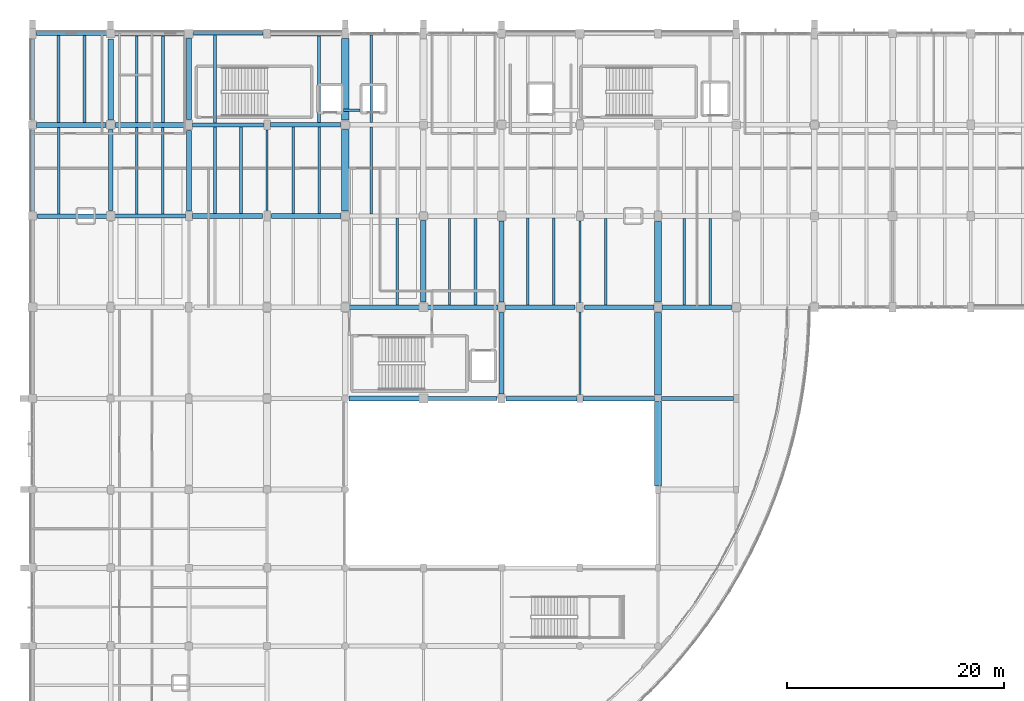
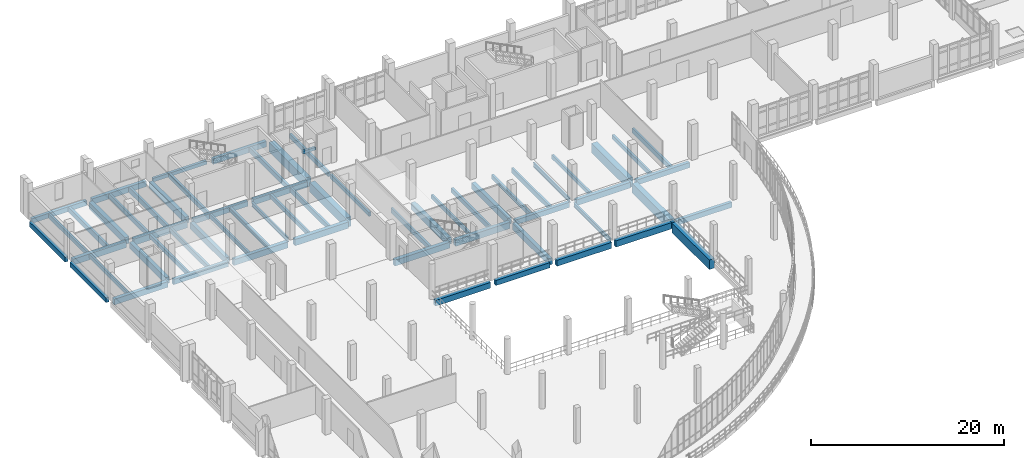
# One storey, part 62 of 124: 63 beams.
"""IFC4 building model written with IfcOpenShell, lengths in metres."""

from ifc_helpers import new_model, si_unit, direction, frame, origin, origin_2d, place, context, subcontext, project, spatial, rectangle, i_section, extrude, material, material_profile, profile_set, type_object, element, save


model = new_model("IFC4")

# Units and contexts
model_context = context("Model", 3, precision=1e-05, world=origin(), true_north=direction((0.0, 1.0)))
body_context = subcontext(model_context, "Body", "Model", "MODEL_VIEW")
ifc_project = project(units=[si_unit("LENGTHUNIT", "METRE"), si_unit("AREAUNIT", "SQUARE_METRE"), si_unit("VOLUMEUNIT", "CUBIC_METRE"), si_unit("PLANEANGLEUNIT", "RADIAN"), si_unit("MASSUNIT", "GRAM", prefix="KILO")], contexts=[model_context])

# Site, building, storey
site_placement = place(None, origin())
site = spatial("IfcSite", under=ifc_project, at=site_placement, CompositionType="ELEMENT")
building_placement = place(site_placement, origin())
building = spatial("IfcBuilding", under=site, at=building_placement, Name="Kalluvel Institute of Natural Sciences", CompositionType="ELEMENT")
storey_placement = place(building_placement, frame((0.0, 0.0, 9.89990234375)))
storey = spatial("IfcBuildingStorey", under=building, at=storey_placement, Name="L02", CompositionType="ELEMENT", Elevation=9.89990234375)

# Beams
ifc_material_1 = material(Name="Steel E350 Grade 350", Category="steel")
ifc_material_profile_1 = material_profile(ifc_material_1, i_section(OverallWidth=0.18994140625, OverallDepth=0.550048828125, WebThickness=0.01123046875, FlangeThickness=0.019287109375, FilletRadius=0.01806640625, at=origin_2d()), Name="ISMB 550")
ifc_profile_set_1 = profile_set([ifc_material_profile_1], Name="Steel E350 Grade 350")
beam_type_1 = type_object("IfcBeamType", Name="BM-ISMB550", PredefinedType="BEAM", material=ifc_profile_set_1)
beam_1_placement = place(storey_placement, frame((35.60009765625, 111.625, -0.594970703125), z_axis=(0.0, 1.0, 0.0), x_axis=(-1.0, 0.0, 0.0)))
element("IfcBeam", 1, at=beam_1_placement, inside=storey, type_object=beam_type_1, Name="L02 girder GIR-L02-NS-X356-Y1112", PredefinedType="BEAM", context=body_context, shape_type="SweptSolid", body=[
    extrude(i_section(OverallWidth=0.18994140625, OverallDepth=0.550048828125, WebThickness=0.01123046875, FlangeThickness=0.019287109375, FilletRadius=0.01806640625, at=origin_2d()), origin(), (0.0, 0.0, 1.0), 7.5),
])
beam_2_placement = place(storey_placement, frame((64.39990234375, 94.77490234375, -0.594970703125), z_axis=(0.0, 1.0, 0.0), x_axis=(-1.0, 0.0, 0.0)))
element("IfcBeam", 2, at=beam_2_placement, inside=storey, type_object=beam_type_1, Name="L02 girder GIR-L02-NS-X644-Y944", PredefinedType="BEAM", context=body_context, shape_type="SweptSolid", body=[
    extrude(i_section(OverallWidth=0.18994140625, OverallDepth=0.550048828125, WebThickness=0.01123046875, FlangeThickness=0.019287109375, FilletRadius=0.01806640625, at=origin_2d()), origin(), (0.0, 0.0, 1.0), 7.60009765625),
])
beam_3_placement = place(storey_placement, frame((64.39990234375, 103.22509765625, -0.594970703125), z_axis=(0.0, 1.0, 0.0), x_axis=(-1.0, 0.0, 0.0)))
element("IfcBeam", 3, at=beam_3_placement, inside=storey, type_object=beam_type_1, Name="L02 girder GIR-L02-NS-X644-Y1028", PredefinedType="BEAM", context=body_context, shape_type="SweptSolid", body=[
    extrude(i_section(OverallWidth=0.18994140625, OverallDepth=0.550048828125, WebThickness=0.01123046875, FlangeThickness=0.019287109375, FilletRadius=0.01806640625, at=origin_2d()), origin(), (0.0, 0.0, 1.0), 7.52490234375),
])
ifc_material_2 = material(Name="Concrete M40", Category="concrete")
ifc_material_profile_2 = material_profile(ifc_material_2, rectangle(XDim=0.3798828125, YDim=0.639892578125, at=origin_2d()), Name="RCB 380x640")
ifc_profile_set_2 = profile_set([ifc_material_profile_2], Name="Concrete M40")
beam_type_2 = type_object("IfcBeamType", Name="BM-RC380x640", PredefinedType="BEAM", material=ifc_profile_set_2)
beam_4_placement = place(storey_placement, frame((71.89990234375, 94.39990234375, -0.639892578125), z_axis=(1.0, 0.0, 0.0), x_axis=(0.0, 1.0, 0.0)))
element("IfcBeam", 4, at=beam_4_placement, inside=storey, type_object=beam_type_2, Name="L02 girder GIR-L02-EW-X716-Y944", PredefinedType="BEAM", context=body_context, shape_type="SweptSolid", body=[
    extrude(rectangle(XDim=0.3798828125, YDim=0.639892578125, at=origin_2d()), origin(), (0.0, 0.0, 1.0), 6.650146484375),
])
beam_5_placement = place(storey_placement, frame((57.52490234375, 102.800048828125, -0.639892578125), z_axis=(1.0, 0.0, 0.0), x_axis=(0.0, 1.0, 0.0)))
element("IfcBeam", 5, at=beam_5_placement, inside=storey, type_object=beam_type_2, Name="L02 girder GIR-L02-EW-X572-Y1028", PredefinedType="BEAM", context=body_context, shape_type="SweptSolid", body=[
    extrude(rectangle(XDim=0.3798828125, YDim=0.639892578125, at=origin_2d()), origin(), (0.0, 0.0, 1.0), 6.4501953125),
])
beam_6_placement = place(storey_placement, frame((28.75, 119.60009765625, -0.639892578125), z_axis=(1.0, 0.0, 0.0), x_axis=(0.0, 1.0, 0.0)))
element("IfcBeam", 6, at=beam_6_placement, inside=storey, type_object=beam_type_2, Name="L02 girder GIR-L02-EW-X284-Y1196", PredefinedType="BEAM", context=body_context, shape_type="SweptSolid", body=[
    extrude(rectangle(XDim=0.3798828125, YDim=0.639892578125, at=origin_2d()), origin(), (0.0, 0.0, 1.0), 6.52490234375),
])
ifc_material_profile_3 = material_profile(ifc_material_2, rectangle(XDim=0.39990234375, YDim=0.64990234375, at=origin_2d()), Name="RCB 400x650")
ifc_profile_set_3 = profile_set([ifc_material_profile_3], Name="Concrete M40")
beam_type_3 = type_object("IfcBeamType", Name="BM-RC400x650", PredefinedType="BEAM", material=ifc_profile_set_3)
beam_7_placement = place(storey_placement, frame((50.324951171875, 94.39990234375, -0.64501953125), z_axis=(1.0, 0.0, 0.0), x_axis=(0.0, 1.0, 0.0)))
element("IfcBeam", 7, at=beam_7_placement, inside=storey, type_object=beam_type_3, Name="L02 girder GIR-L02-EW-X500-Y944", PredefinedType="BEAM", context=body_context, shape_type="SweptSolid", body=[
    extrude(rectangle(XDim=0.39990234375, YDim=0.64990234375, at=origin_2d()), origin(), (0.0, 0.0, 1.0), 6.449951171875),
])
beam_8_placement = place(storey_placement, frame((71.97509765625, 102.800048828125, -0.64501953125), z_axis=(1.0, 0.0, 0.0), x_axis=(0.0, 1.0, 0.0)))
element("IfcBeam", 8, at=beam_8_placement, inside=storey, type_object=beam_type_3, Name="L02 girder GIR-L02-EW-X716-Y1028", PredefinedType="BEAM", context=body_context, shape_type="SweptSolid", body=[
    extrude(rectangle(XDim=0.39990234375, YDim=0.64990234375, at=origin_2d()), origin(), (0.0, 0.0, 1.0), 6.375),
])
beam_9_placement = place(storey_placement, frame((21.550048828125, 111.199951171875, -0.64501953125), z_axis=(1.0, 0.0, 0.0), x_axis=(0.0, 1.0, 0.0)))
element("IfcBeam", 9, at=beam_9_placement, inside=storey, type_object=beam_type_3, Name="L02 girder GIR-L02-EW-X212-Y1112", PredefinedType="BEAM", context=body_context, shape_type="SweptSolid", body=[
    extrude(rectangle(XDim=0.39990234375, YDim=0.64990234375, at=origin_2d()), origin(), (0.0, 0.0, 1.0), 6.52490234375),
])
ifc_material_profile_4 = material_profile(ifc_material_2, rectangle(XDim=0.419921875, YDim=0.719970703125, at=origin_2d()), Name="RCB 420x720")
ifc_profile_set_4 = profile_set([ifc_material_profile_4], Name="Concrete M40")
beam_type_4 = type_object("IfcBeamType", Name="BM-RC420x720", PredefinedType="BEAM", material=ifc_profile_set_4)
beam_10_placement = place(storey_placement, frame((43.125, 94.39990234375, -0.679931640625), z_axis=(1.0, 0.0, 0.0), x_axis=(0.0, 1.0, 0.0)))
element("IfcBeam", 10, at=beam_10_placement, inside=storey, type_object=beam_type_4, Name="L02 girder GIR-L02-EW-X428-Y944", PredefinedType="BEAM", context=body_context, shape_type="SweptSolid", body=[
    extrude(rectangle(XDim=0.419921875, YDim=0.719970703125, at=origin_2d()), origin(), (0.0, 0.0, 1.0), 6.550048828125),
])
for number, where, z_axis, x_axis, name in (
    (11, (64.824951171875, 102.800048828125, -0.679931640625), (1.0, 0.0, 0.0), (0.0, 1.0, 0.0), "L02 girder GIR-L02-EW-X644-Y1028"),
    (12, (14.449951171875, 111.199951171875, -0.679931640625), (1.0, 0.0, 0.0), (0.0, 1.0, 0.0), "L02 girder GIR-L02-EW-X140-Y1112"),
):
    element("IfcBeam", number, at=place(storey_placement, frame(where, z_axis=z_axis, x_axis=x_axis)), inside=storey, type_object=beam_type_4, Name=name, PredefinedType="BEAM", context=body_context, shape_type="SweptSolid", body=[
        extrude(rectangle(XDim=0.419921875, YDim=0.719970703125, at=origin_2d()), origin(), (0.0, 0.0, 1.0), 6.400146484375),
    ])
beam_11_placement = place(storey_placement, frame((35.925048828125, 119.60009765625, -0.679931640625), z_axis=(1.0, 0.0, 0.0), x_axis=(0.0, 1.0, 0.0)))
element("IfcBeam", 13, at=beam_11_placement, inside=storey, type_object=beam_type_4, Name="L02 girder GIR-L02-EW-X356-Y1196", PredefinedType="BEAM", context=body_context, shape_type="SweptSolid", body=[
    extrude(rectangle(XDim=0.419921875, YDim=0.719970703125, at=origin_2d()), origin(), (0.0, 0.0, 1.0), 6.449951171875),
])
ifc_material_profile_5 = material_profile(ifc_material_2, rectangle(XDim=0.449951171875, YDim=0.75, at=origin_2d()), Name="RCB 450x750")
ifc_profile_set_5 = profile_set([ifc_material_profile_5], Name="Concrete M40")
beam_type_5 = type_object("IfcBeamType", Name="BM-RC450x750", PredefinedType="BEAM", material=ifc_profile_set_5)
beam_12_placement = place(storey_placement, frame((57.625, 94.39990234375, -0.69482421875), z_axis=(1.0, 0.0, 0.0), x_axis=(0.0, 1.0, 0.0)))
element("IfcBeam", 14, at=beam_12_placement, inside=storey, type_object=beam_type_5, Name="L02 girder GIR-L02-EW-X572-Y944", PredefinedType="BEAM", context=body_context, shape_type="SweptSolid", body=[
    extrude(rectangle(XDim=0.449951171875, YDim=0.75, at=origin_2d()), origin(), (0.0, 0.0, 1.0), 6.5),
])
beam_13_placement = place(storey_placement, frame((43.125, 102.800048828125, -0.69482421875), z_axis=(1.0, 0.0, 0.0), x_axis=(0.0, 1.0, 0.0)))
element("IfcBeam", 15, at=beam_13_placement, inside=storey, type_object=beam_type_5, Name="L02 girder GIR-L02-EW-X428-Y1028", PredefinedType="BEAM", context=body_context, shape_type="SweptSolid", body=[
    extrude(rectangle(XDim=0.449951171875, YDim=0.75, at=origin_2d()), origin(), (0.0, 0.0, 1.0), 6.52490234375),
])
beam_14_placement = place(storey_placement, frame((28.72509765625, 111.199951171875, -0.69482421875), z_axis=(1.0, 0.0, 0.0), x_axis=(0.0, 1.0, 0.0)))
element("IfcBeam", 16, at=beam_14_placement, inside=storey, type_object=beam_type_5, Name="L02 girder GIR-L02-EW-X284-Y1112", PredefinedType="BEAM", context=body_context, shape_type="SweptSolid", body=[
    extrude(rectangle(XDim=0.449951171875, YDim=0.75, at=origin_2d()), origin(), (0.0, 0.0, 1.0), 6.449951171875),
])
beam_15_placement = place(storey_placement, frame((14.375, 119.60009765625, -0.69482421875), z_axis=(1.0, 0.0, 0.0), x_axis=(0.0, 1.0, 0.0)))
element("IfcBeam", 17, at=beam_15_placement, inside=storey, type_object=beam_type_5, Name="L02 girder GIR-L02-EW-X140-Y1196", PredefinedType="BEAM", context=body_context, shape_type="SweptSolid", body=[
    extrude(rectangle(XDim=0.449951171875, YDim=0.75, at=origin_2d()), origin(), (0.0, 0.0, 1.0), 6.375),
])
ifc_material_profile_6 = material_profile(ifc_material_2, rectangle(XDim=0.449951171875, YDim=0.800048828125, at=origin_2d()), Name="RCB 450x800")
ifc_profile_set_6 = profile_set([ifc_material_profile_6], Name="Concrete M40")
beam_type_6 = type_object("IfcBeamType", Name="BM-RC450x800", PredefinedType="BEAM", material=ifc_profile_set_6)
beam_16_placement = place(storey_placement, frame((64.675048828125, 94.39990234375, -0.719970703125), z_axis=(1.0, 0.0, 0.0), x_axis=(0.0, 1.0, 0.0)))
element("IfcBeam", 18, at=beam_16_placement, inside=storey, type_object=beam_type_6, Name="L02 girder GIR-L02-EW-X644-Y944", PredefinedType="BEAM", context=body_context, shape_type="SweptSolid", body=[
    extrude(rectangle(XDim=0.449951171875, YDim=0.800048828125, at=origin_2d()), origin(), (0.0, 0.0, 1.0), 6.625),
])
beam_17_placement = place(storey_placement, frame((50.35009765625, 102.800048828125, -0.719970703125), z_axis=(1.0, 0.0, 0.0), x_axis=(0.0, 1.0, 0.0)))
element("IfcBeam", 19, at=beam_17_placement, inside=storey, type_object=beam_type_6, Name="L02 girder GIR-L02-EW-X500-Y1028", PredefinedType="BEAM", context=body_context, shape_type="SweptSolid", body=[
    extrude(rectangle(XDim=0.449951171875, YDim=0.800048828125, at=origin_2d()), origin(), (0.0, 0.0, 1.0), 6.52490234375),
])
for number, where, z_axis, x_axis, name in (
    (20, (36.02490234375, 111.199951171875, -0.719970703125), (1.0, 0.0, 0.0), (0.0, 1.0, 0.0), "L02 girder GIR-L02-EW-X356-Y1112"),
    (21, (21.64990234375, 119.60009765625, -0.719970703125), (1.0, 0.0, 0.0), (0.0, 1.0, 0.0), "L02 girder GIR-L02-EW-X212-Y1196"),
):
    element("IfcBeam", number, at=place(storey_placement, frame(where, z_axis=z_axis, x_axis=x_axis)), inside=storey, type_object=beam_type_6, Name=name, PredefinedType="BEAM", context=body_context, shape_type="SweptSolid", body=[
        extrude(rectangle(XDim=0.449951171875, YDim=0.800048828125, at=origin_2d()), origin(), (0.0, 0.0, 1.0), 6.400146484375),
    ])
beam_18_placement = place(storey_placement, frame((21.199951171875, 111.699951171875, -0.719970703125), z_axis=(0.0, 1.0, 0.0), x_axis=(-1.0, 0.0, 0.0)))
element("IfcBeam", 22, at=beam_18_placement, inside=storey, type_object=beam_type_6, Name="L02 girder GIR-L02-NS-X212-Y1112", PredefinedType="BEAM", context=body_context, shape_type="SweptSolid", body=[
    extrude(rectangle(XDim=0.449951171875, YDim=0.800048828125, at=origin_2d()), origin(), (0.0, 0.0, 1.0), 7.449951171875),
])
beam_19_placement = place(storey_placement, frame((28.39990234375, 111.675048828125, -0.719970703125), z_axis=(0.0, 1.0, 0.0), x_axis=(-1.0, 0.0, 0.0)))
element("IfcBeam", 23, at=beam_19_placement, inside=storey, type_object=beam_type_6, Name="L02 girder GIR-L02-NS-X284-Y1112", PredefinedType="BEAM", context=body_context, shape_type="SweptSolid", body=[
    extrude(rectangle(XDim=0.449951171875, YDim=0.800048828125, at=origin_2d()), origin(), (0.0, 0.0, 1.0), 7.425048828125),
])
beam_20_placement = place(storey_placement, frame((28.39990234375, 120.10009765625, -0.719970703125), z_axis=(0.0, 1.0, 0.0), x_axis=(-1.0, 0.0, 0.0)))
element("IfcBeam", 24, at=beam_20_placement, inside=storey, type_object=beam_type_6, Name="L02 girder GIR-L02-NS-X284-Y1196", PredefinedType="BEAM", context=body_context, shape_type="SweptSolid", body=[
    extrude(rectangle(XDim=0.449951171875, YDim=0.800048828125, at=origin_2d()), origin(), (0.0, 0.0, 1.0), 7.474853515625),
])
beam_21_placement = place(storey_placement, frame((57.199951171875, 94.824951171875, -0.719970703125), z_axis=(0.0, 1.0, 0.0), x_axis=(-1.0, 0.0, 0.0)))
element("IfcBeam", 25, at=beam_21_placement, inside=storey, type_object=beam_type_6, Name="L02 girder GIR-L02-NS-X572-Y944", PredefinedType="BEAM", context=body_context, shape_type="SweptSolid", body=[
    extrude(rectangle(XDim=0.449951171875, YDim=0.800048828125, at=origin_2d()), origin(), (0.0, 0.0, 1.0), 7.5),
])
beam_22_placement = place(storey_placement, frame((57.199951171875, 103.27490234375, -0.719970703125), z_axis=(0.0, 1.0, 0.0), x_axis=(-1.0, 0.0, 0.0)))
element("IfcBeam", 26, at=beam_22_placement, inside=storey, type_object=beam_type_6, Name="L02 girder GIR-L02-NS-X572-Y1028", PredefinedType="BEAM", context=body_context, shape_type="SweptSolid", body=[
    extrude(rectangle(XDim=0.449951171875, YDim=0.800048828125, at=origin_2d()), origin(), (0.0, 0.0, 1.0), 7.4501953125),
])
ifc_material_3 = material(Name="Concrete M50", Category="concrete")
ifc_material_profile_7 = material_profile(ifc_material_3, rectangle(XDim=0.5, YDim=0.85009765625, at=origin_2d()), Name="RCB 500x850")
ifc_profile_set_7 = profile_set([ifc_material_profile_7], Name="Concrete M50")
beam_type_7 = type_object("IfcBeamType", Name="BM-RC500x850", PredefinedType="BEAM", material=ifc_profile_set_7)
for number, where, z_axis, x_axis, name in (
    (27, (21.199951171875, 120.050048828125, -0.744873046875), (0.0, 1.0, 0.0), (-1.0, 0.0, 0.0), "L02 girder GIR-L02-NS-X212-Y1196"),
    (28, (50.0, 103.300048828125, -0.744873046875), (0.0, 1.0, 0.0), (-1.0, 0.0, 0.0), "L02 girder GIR-L02-NS-X500-Y1028"),
):
    element("IfcBeam", number, at=place(storey_placement, frame(where, z_axis=z_axis, x_axis=x_axis)), inside=storey, type_object=beam_type_7, Name=name, PredefinedType="BEAM", context=body_context, shape_type="SweptSolid", body=[
        extrude(rectangle(XDim=0.5, YDim=0.85009765625, at=origin_2d()), origin(), (0.0, 0.0, 1.0), 7.474853515625),
    ])
ifc_material_profile_8 = material_profile(ifc_material_3, rectangle(XDim=0.64990234375, YDim=1.199951171875, at=origin_2d()), Name="RCB 650x1200")
ifc_profile_set_8 = profile_set([ifc_material_profile_8], Name="Concrete M50")
beam_type_8 = type_object("IfcBeamType", Name="BM-RC650x1200", PredefinedType="BEAM", material=ifc_profile_set_8)
beam_23_placement = place(storey_placement, frame((42.800048828125, 111.675048828125, -0.919921875), z_axis=(0.0, 1.0, 0.0), x_axis=(-1.0, 0.0, 0.0)))
element("IfcBeam", 29, at=beam_23_placement, inside=storey, type_object=beam_type_8, Name="L02 girder GIR-L02-NS-X428-Y1112", PredefinedType="BEAM", context=body_context, shape_type="SweptSolid", body=[
    extrude(rectangle(XDim=0.64990234375, YDim=1.199951171875, at=origin_2d()), origin(), (0.0, 0.0, 1.0), 7.5),
])
beam_24_placement = place(storey_placement, frame((42.800048828125, 120.02490234375, -0.919921875), z_axis=(0.0, 1.0, 0.0), x_axis=(-1.0, 0.0, 0.0)))
element("IfcBeam", 30, at=beam_24_placement, inside=storey, type_object=beam_type_8, Name="L02 girder GIR-L02-NS-X428-Y1196", PredefinedType="BEAM", context=body_context, shape_type="SweptSolid", body=[
    extrude(rectangle(XDim=0.64990234375, YDim=1.199951171875, at=origin_2d()), origin(), (0.0, 0.0, 1.0), 7.525146484375),
])
beam_25_placement = place(storey_placement, frame((71.60009765625, 86.35009765625, -0.919921875), z_axis=(0.0, 1.0, 0.0), x_axis=(-1.0, 0.0, 0.0)))
element("IfcBeam", 31, at=beam_25_placement, inside=storey, type_object=beam_type_8, Name="L02 girder GIR-L02-NS-X716-Y860", PredefinedType="BEAM", context=body_context, shape_type="SweptSolid", body=[
    extrude(rectangle(XDim=0.64990234375, YDim=1.199951171875, at=origin_2d()), origin(), (0.0, 0.0, 1.0), 7.75),
])
beam_26_placement = place(storey_placement, frame((71.60009765625, 94.699951171875, -0.919921875), z_axis=(0.0, 1.0, 0.0), x_axis=(-1.0, 0.0, 0.0)))
element("IfcBeam", 32, at=beam_26_placement, inside=storey, type_object=beam_type_8, Name="L02 girder GIR-L02-NS-X716-Y944", PredefinedType="BEAM", context=body_context, shape_type="SweptSolid", body=[
    extrude(rectangle(XDim=0.64990234375, YDim=1.199951171875, at=origin_2d()), origin(), (0.0, 0.0, 1.0), 7.625),
])
beam_27_placement = place(storey_placement, frame((71.60009765625, 103.27490234375, -0.919921875), z_axis=(0.0, 1.0, 0.0), x_axis=(-1.0, 0.0, 0.0)))
element("IfcBeam", 33, at=beam_27_placement, inside=storey, type_object=beam_type_8, Name="L02 girder GIR-L02-NS-X716-Y1028", PredefinedType="BEAM", context=body_context, shape_type="SweptSolid", body=[
    extrude(rectangle(XDim=0.64990234375, YDim=1.199951171875, at=origin_2d()), origin(), (0.0, 0.0, 1.0), 7.425048828125),
])
ifc_material_4 = material(Name="Sadarahalli Granite Precast Concrete M45", Category="masonry")
ifc_material_profile_9 = material_profile(ifc_material_4, rectangle(XDim=0.25, YDim=0.35009765625, at=origin_2d()), Name="LIN 250x350")
ifc_profile_set_9 = profile_set([ifc_material_profile_9], Name="Sadarahalli Granite Precast Concrete M45")
beam_type_9 = type_object("IfcBeamType", Name="LN-250x350-EXT", PredefinedType="LINTEL", material=ifc_profile_set_9)
beam_28_placement = place(storey_placement, frame((42.639892578125, 120.949951171875, 2.35009765625), z_axis=(1.0, 0.0, 0.0), x_axis=(0.0, 1.0, 0.0)))
element("IfcBeam", 34, at=beam_28_placement, inside=storey, type_object=beam_type_9, Name="L02 lift-core coupling lintel A", PredefinedType="LINTEL", context=body_context, shape_type="SweptSolid", body=[
    extrude(rectangle(XDim=0.25, YDim=0.35009765625, at=origin_2d()), origin(), (0.0, 0.0, 1.0), 1.52001953125),
])
ifc_material_profile_10 = material_profile(ifc_material_2, rectangle(XDim=0.300048828125, YDim=0.449951171875, at=origin_2d()), Name="RCB 300x450")
ifc_profile_set_10 = profile_set([ifc_material_profile_10], Name="Concrete M40")
beam_type_10 = type_object("IfcBeamType", Name="SP-RC300x450", PredefinedType="SPANDREL", material=ifc_profile_set_10)
beam_29_placement = place(storey_placement, frame((28.824951171875, 128.0, -0.544921875), z_axis=(1.0, 0.0, 0.0), x_axis=(0.0, 1.0, 0.0)))
element("IfcBeam", 35, at=beam_29_placement, inside=storey, type_object=beam_type_10, Name="L02 girder GIR-L02-EW-X284-Y1280", PredefinedType="SPANDREL", context=body_context, shape_type="SweptSolid", body=[
    extrude(rectangle(XDim=0.300048828125, YDim=0.449951171875, at=origin_2d()), origin(), (0.0, 0.0, 1.0), 6.400146484375),
])
ifc_material_profile_11 = material_profile(ifc_material_2, rectangle(XDim=0.35009765625, YDim=0.60009765625, at=origin_2d()), Name="RCB 350x600")
ifc_profile_set_11 = profile_set([ifc_material_profile_11], Name="Concrete M40")
beam_type_11 = type_object("IfcBeamType", Name="SP-RC350x600", PredefinedType="SPANDREL", material=ifc_profile_set_11)
beam_30_placement = place(storey_placement, frame((14.35009765625, 128.0, -0.619873046875), z_axis=(1.0, 0.0, 0.0), x_axis=(0.0, 1.0, 0.0)))
element("IfcBeam", 36, at=beam_30_placement, inside=storey, type_object=beam_type_11, Name="L02 girder GIR-L02-EW-X140-Y1280", PredefinedType="SPANDREL", context=body_context, shape_type="SweptSolid", body=[
    extrude(rectangle(XDim=0.35009765625, YDim=0.60009765625, at=origin_2d()), origin(), (0.0, 0.0, 1.0), 6.52490234375),
])
beam_31_placement = place(storey_placement, frame((14.0, 111.64990234375, -0.619873046875), z_axis=(0.0, 1.0, 0.0), x_axis=(-1.0, 0.0, 0.0)))
element("IfcBeam", 37, at=beam_31_placement, inside=storey, type_object=beam_type_11, Name="L02 girder GIR-L02-NS-X140-Y1112", PredefinedType="SPANDREL", context=body_context, shape_type="SweptSolid", body=[
    extrude(rectangle(XDim=0.35009765625, YDim=0.60009765625, at=origin_2d()), origin(), (0.0, 0.0, 1.0), 7.47509765625),
])
beam_32_placement = place(storey_placement, frame((14.0, 120.074951171875, -0.619873046875), z_axis=(0.0, 1.0, 0.0), x_axis=(-1.0, 0.0, 0.0)))
element("IfcBeam", 38, at=beam_32_placement, inside=storey, type_object=beam_type_11, Name="L02 girder GIR-L02-NS-X140-Y1196", PredefinedType="SPANDREL", context=body_context, shape_type="SweptSolid", body=[
    extrude(rectangle(XDim=0.35009765625, YDim=0.60009765625, at=origin_2d()), origin(), (0.0, 0.0, 1.0), 7.425048828125),
])
ifc_material_profile_12 = material_profile(ifc_material_2, rectangle(XDim=0.39990234375, YDim=0.699951171875, at=origin_2d()), Name="RCB 400x700")
ifc_profile_set_12 = profile_set([ifc_material_profile_12], Name="Concrete M40")
beam_type_12 = type_object("IfcBeamType", Name="SP-RC400x700", PredefinedType="SPANDREL", material=ifc_profile_set_12)
beam_33_placement = place(storey_placement, frame((21.52490234375, 128.0, -0.669921875), z_axis=(1.0, 0.0, 0.0), x_axis=(0.0, 1.0, 0.0)))
element("IfcBeam", 39, at=beam_33_placement, inside=storey, type_object=beam_type_12, Name="L02 girder GIR-L02-EW-X212-Y1280", PredefinedType="SPANDREL", context=body_context, shape_type="SweptSolid", body=[
    extrude(rectangle(XDim=0.39990234375, YDim=0.699951171875, at=origin_2d()), origin(), (0.0, 0.0, 1.0), 6.4501953125),
])
beam_34_placement = place(storey_placement, frame((35.97509765625, 128.0, -0.669921875), z_axis=(1.0, 0.0, 0.0), x_axis=(0.0, 1.0, 0.0)))
element("IfcBeam", 40, at=beam_34_placement, inside=storey, type_object=beam_type_12, Name="L02 girder GIR-L02-EW-X356-Y1280", PredefinedType="SPANDREL", context=body_context, shape_type="SweptSolid", body=[
    extrude(rectangle(XDim=0.39990234375, YDim=0.699951171875, at=origin_2d()), origin(), (0.0, 0.0, 1.0), 6.375),
])
ifc_material_profile_13 = material_profile(ifc_material_2, rectangle(XDim=0.219970703125, YDim=0.5, at=origin_2d()), Name="WAF 220x500")
ifc_profile_set_13 = profile_set([ifc_material_profile_13], Name="Concrete M40")
beam_type_13 = type_object("IfcBeamType", Name="WJ-220x500", PredefinedType="JOIST", material=ifc_profile_set_13)
for number, where, z_axis, x_axis, name in (
    (41, (16.39990234375, 111.409912109375, -0.56982421875), (0.0, 1.0, 0.0), (-1.0, 0.0, 0.0), "L02 waffle joist RIB-L02-0144"),
    (42, (52.39990234375, 103.02490234375, -0.56982421875), (0.0, 1.0, 0.0), (-1.0, 0.0, 0.0), "L02 waffle joist RIB-L02-0169"),
):
    element("IfcBeam", number, at=place(storey_placement, frame(where, z_axis=z_axis, x_axis=x_axis)), inside=storey, type_object=beam_type_13, Name=name, PredefinedType="JOIST", context=body_context, shape_type="SweptSolid", body=[
        extrude(rectangle(XDim=0.219970703125, YDim=0.5, at=origin_2d()), origin(), (0.0, 0.0, 1.0), 7.965087890625),
    ])
ifc_material_profile_14 = material_profile(ifc_material_2, rectangle(XDim=0.239990234375, YDim=0.52001953125, at=origin_2d()), Name="WAF 240x520")
ifc_profile_set_14 = profile_set([ifc_material_profile_14], Name="Concrete M40")
beam_type_14 = type_object("IfcBeamType", Name="WJ-240x520", PredefinedType="JOIST", material=ifc_profile_set_14)
beam_35_placement = place(storey_placement, frame((23.60009765625, 111.39990234375, -0.579833984375), z_axis=(0.0, 1.0, 0.0), x_axis=(-1.0, 0.0, 0.0)))
element("IfcBeam", 43, at=beam_35_placement, inside=storey, type_object=beam_type_14, Name="L02 waffle joist RIB-L02-0149", PredefinedType="JOIST", context=body_context, shape_type="SweptSolid", body=[
    extrude(rectangle(XDim=0.239990234375, YDim=0.52001953125, at=origin_2d()), origin(), (0.0, 0.0, 1.0), 7.97509765625),
])
beam_36_placement = place(storey_placement, frame((30.800048828125, 111.425048828125, -0.579833984375), z_axis=(0.0, 1.0, 0.0), x_axis=(-1.0, 0.0, 0.0)))
element("IfcBeam", 44, at=beam_36_placement, inside=storey, type_object=beam_type_14, Name="L02 waffle joist RIB-L02-0155", PredefinedType="JOIST", context=body_context, shape_type="SweptSolid", body=[
    extrude(rectangle(XDim=0.239990234375, YDim=0.52001953125, at=origin_2d()), origin(), (0.0, 0.0, 1.0), 7.98486328125),
])
beam_37_placement = place(storey_placement, frame((38.0, 111.425048828125, -0.579833984375), z_axis=(0.0, 1.0, 0.0), x_axis=(-1.0, 0.0, 0.0)))
element("IfcBeam", 45, at=beam_37_placement, inside=storey, type_object=beam_type_14, Name="L02 waffle joist RIB-L02-0160", PredefinedType="JOIST", context=body_context, shape_type="SweptSolid", body=[
    extrude(rectangle(XDim=0.239990234375, YDim=0.52001953125, at=origin_2d()), origin(), (0.0, 0.0, 1.0), 7.96484375),
])
for number, where, z_axis, x_axis, name in (
    (46, (45.199951171875, 111.389892578125, -0.579833984375), (0.0, 1.0, 0.0), (-1.0, 0.0, 0.0), "L02 waffle joist RIB-L02-0165"),
    (47, (59.60009765625, 102.989990234375, -0.579833984375), (0.0, 1.0, 0.0), (-1.0, 0.0, 0.0), "L02 waffle joist RIB-L02-0175"),
):
    element("IfcBeam", number, at=place(storey_placement, frame(where, z_axis=z_axis, x_axis=x_axis)), inside=storey, type_object=beam_type_14, Name=name, PredefinedType="JOIST", context=body_context, shape_type="SweptSolid", body=[
        extrude(rectangle(XDim=0.239990234375, YDim=0.52001953125, at=origin_2d()), origin(), (0.0, 0.0, 1.0), 8.010009765625),
    ])
beam_38_placement = place(storey_placement, frame((66.800048828125, 103.010009765625, -0.579833984375), z_axis=(0.0, 1.0, 0.0), x_axis=(-1.0, 0.0, 0.0)))
element("IfcBeam", 48, at=beam_38_placement, inside=storey, type_object=beam_type_14, Name="L02 waffle joist RIB-L02-0181", PredefinedType="JOIST", context=body_context, shape_type="SweptSolid", body=[
    extrude(rectangle(XDim=0.239990234375, YDim=0.52001953125, at=origin_2d()), origin(), (0.0, 0.0, 1.0), 7.965087890625),
])
beam_39_placement = place(storey_placement, frame((74.0, 103.0, -0.579833984375), z_axis=(0.0, 1.0, 0.0), x_axis=(-1.0, 0.0, 0.0)))
element("IfcBeam", 49, at=beam_39_placement, inside=storey, type_object=beam_type_14, Name="L02 waffle joist RIB-L02-0183", PredefinedType="JOIST", context=body_context, shape_type="SweptSolid", body=[
    extrude(rectangle(XDim=0.239990234375, YDim=0.52001953125, at=origin_2d()), origin(), (0.0, 0.0, 1.0), 7.97509765625),
])
ifc_material_profile_15 = material_profile(ifc_material_2, rectangle(XDim=0.25, YDim=0.550048828125, at=origin_2d()), Name="WAF 250x550")
ifc_profile_set_15 = profile_set([ifc_material_profile_15], Name="Concrete M40")
beam_type_15 = type_object("IfcBeamType", Name="WJ-250x550", PredefinedType="JOIST", material=ifc_profile_set_15)
beam_40_placement = place(storey_placement, frame((16.39990234375, 119.824951171875, -0.594970703125), z_axis=(0.0, 1.0, 0.0), x_axis=(-1.0, 0.0, 0.0)))
element("IfcBeam", 50, at=beam_40_placement, inside=storey, type_object=beam_type_15, Name="L02 waffle joist RIB-L02-0145", PredefinedType="JOIST", context=body_context, shape_type="SweptSolid", body=[
    extrude(rectangle(XDim=0.25, YDim=0.550048828125, at=origin_2d()), origin(), (0.0, 0.0, 1.0), 8.0),
])
ifc_material_profile_16 = material_profile(ifc_material_2, rectangle(XDim=0.25, YDim=0.60009765625, at=origin_2d()), Name="WAF 250x600")
ifc_profile_set_16 = profile_set([ifc_material_profile_16], Name="Concrete M40")
beam_type_16 = type_object("IfcBeamType", Name="WJ-250x600", PredefinedType="JOIST", material=ifc_profile_set_16)
for number, where, z_axis, x_axis, name in (
    (51, (26.0, 111.39990234375, -0.619873046875), (0.0, 1.0, 0.0), (-1.0, 0.0, 0.0), "L02 waffle joist RIB-L02-0150"),
    (52, (23.60009765625, 119.824951171875, -0.619873046875), (0.0, 1.0, 0.0), (-1.0, 0.0, 0.0), "L02 waffle joist RIB-L02-0151"),
):
    element("IfcBeam", number, at=place(storey_placement, frame(where, z_axis=z_axis, x_axis=x_axis)), inside=storey, type_object=beam_type_16, Name=name, PredefinedType="JOIST", context=body_context, shape_type="SweptSolid", body=[
        extrude(rectangle(XDim=0.25, YDim=0.60009765625, at=origin_2d()), origin(), (0.0, 0.0, 1.0), 7.97509765625),
    ])
beam_41_placement = place(storey_placement, frame((33.199951171875, 111.425048828125, -0.619873046875), z_axis=(0.0, 1.0, 0.0), x_axis=(-1.0, 0.0, 0.0)))
element("IfcBeam", 53, at=beam_41_placement, inside=storey, type_object=beam_type_16, Name="L02 waffle joist RIB-L02-0156", PredefinedType="JOIST", context=body_context, shape_type="SweptSolid", body=[
    extrude(rectangle(XDim=0.25, YDim=0.60009765625, at=origin_2d()), origin(), (0.0, 0.0, 1.0), 7.98486328125),
])
beam_42_placement = place(storey_placement, frame((30.800048828125, 119.7900390625, -0.619873046875), z_axis=(0.0, 1.0, 0.0), x_axis=(-1.0, 0.0, 0.0)))
element("IfcBeam", 54, at=beam_42_placement, inside=storey, type_object=beam_type_16, Name="L02 waffle joist RIB-L02-0157", PredefinedType="JOIST", context=body_context, shape_type="SweptSolid", body=[
    extrude(rectangle(XDim=0.25, YDim=0.60009765625, at=origin_2d()), origin(), (0.0, 0.0, 1.0), 8.06005859375),
])
beam_43_placement = place(storey_placement, frame((40.39990234375, 111.425048828125, -0.619873046875), z_axis=(0.0, 1.0, 0.0), x_axis=(-1.0, 0.0, 0.0)))
element("IfcBeam", 55, at=beam_43_placement, inside=storey, type_object=beam_type_16, Name="L02 waffle joist RIB-L02-0161", PredefinedType="JOIST", context=body_context, shape_type="SweptSolid", body=[
    extrude(rectangle(XDim=0.25, YDim=0.60009765625, at=origin_2d()), origin(), (0.0, 0.0, 1.0), 7.96484375),
])
beam_44_placement = place(storey_placement, frame((47.60009765625, 103.02490234375, -0.619873046875), z_axis=(0.0, 1.0, 0.0), x_axis=(-1.0, 0.0, 0.0)))
element("IfcBeam", 56, at=beam_44_placement, inside=storey, type_object=beam_type_16, Name="L02 waffle joist RIB-L02-0164", PredefinedType="JOIST", context=body_context, shape_type="SweptSolid", body=[
    extrude(rectangle(XDim=0.25, YDim=0.60009765625, at=origin_2d()), origin(), (0.0, 0.0, 1.0), 7.985107421875),
])
beam_45_placement = place(storey_placement, frame((45.199951171875, 119.800048828125, -0.619873046875), z_axis=(0.0, 1.0, 0.0), x_axis=(-1.0, 0.0, 0.0)))
element("IfcBeam", 57, at=beam_45_placement, inside=storey, type_object=beam_type_16, Name="L02 waffle joist RIB-L02-0167", PredefinedType="JOIST", context=body_context, shape_type="SweptSolid", body=[
    extrude(rectangle(XDim=0.25, YDim=0.60009765625, at=origin_2d()), origin(), (0.0, 0.0, 1.0), 8.050048828125),
])
beam_46_placement = place(storey_placement, frame((54.800048828125, 103.02490234375, -0.619873046875), z_axis=(0.0, 1.0, 0.0), x_axis=(-1.0, 0.0, 0.0)))
element("IfcBeam", 58, at=beam_46_placement, inside=storey, type_object=beam_type_16, Name="L02 waffle joist RIB-L02-0170", PredefinedType="JOIST", context=body_context, shape_type="SweptSolid", body=[
    extrude(rectangle(XDim=0.25, YDim=0.60009765625, at=origin_2d()), origin(), (0.0, 0.0, 1.0), 7.965087890625),
])
beam_47_placement = place(storey_placement, frame((62.0, 102.989990234375, -0.619873046875), z_axis=(0.0, 1.0, 0.0), x_axis=(-1.0, 0.0, 0.0)))
element("IfcBeam", 59, at=beam_47_placement, inside=storey, type_object=beam_type_16, Name="L02 waffle joist RIB-L02-0176", PredefinedType="JOIST", context=body_context, shape_type="SweptSolid", body=[
    extrude(rectangle(XDim=0.25, YDim=0.60009765625, at=origin_2d()), origin(), (0.0, 0.0, 1.0), 8.010009765625),
])
beam_48_placement = place(storey_placement, frame((76.39990234375, 103.0, -0.619873046875), z_axis=(0.0, 1.0, 0.0), x_axis=(-1.0, 0.0, 0.0)))
element("IfcBeam", 60, at=beam_48_placement, inside=storey, type_object=beam_type_16, Name="L02 waffle joist RIB-L02-0184", PredefinedType="JOIST", context=body_context, shape_type="SweptSolid", body=[
    extrude(rectangle(XDim=0.25, YDim=0.60009765625, at=origin_2d()), origin(), (0.0, 0.0, 1.0), 7.97509765625),
])
ifc_material_profile_17 = material_profile(ifc_material_3, rectangle(XDim=0.280029296875, YDim=0.64990234375, at=origin_2d()), Name="WAF 280x650")
ifc_profile_set_17 = profile_set([ifc_material_profile_17], Name="Concrete M50")
beam_type_17 = type_object("IfcBeamType", Name="WJ-280x650", PredefinedType="JOIST", material=ifc_profile_set_17)
beam_49_placement = place(storey_placement, frame((18.800048828125, 119.824951171875, -0.64501953125), z_axis=(0.0, 1.0, 0.0), x_axis=(-1.0, 0.0, 0.0)))
element("IfcBeam", 61, at=beam_49_placement, inside=storey, type_object=beam_type_17, Name="L02 waffle joist RIB-L02-0146", PredefinedType="JOIST", context=body_context, shape_type="SweptSolid", body=[
    extrude(rectangle(XDim=0.280029296875, YDim=0.64990234375, at=origin_2d()), origin(), (0.0, 0.0, 1.0), 8.0),
])
beam_50_placement = place(storey_placement, frame((26.0, 119.824951171875, -0.64501953125), z_axis=(0.0, 1.0, 0.0), x_axis=(-1.0, 0.0, 0.0)))
element("IfcBeam", 62, at=beam_50_placement, inside=storey, type_object=beam_type_17, Name="L02 waffle joist RIB-L02-0152", PredefinedType="JOIST", context=body_context, shape_type="SweptSolid", body=[
    extrude(rectangle(XDim=0.280029296875, YDim=0.64990234375, at=origin_2d()), origin(), (0.0, 0.0, 1.0), 7.97509765625),
])
beam_51_placement = place(storey_placement, frame((40.39990234375, 119.81005859375, -0.64501953125), z_axis=(0.0, 1.0, 0.0), x_axis=(-1.0, 0.0, 0.0)))
element("IfcBeam", 63, at=beam_51_placement, inside=storey, type_object=beam_type_17, Name="L02 waffle joist RIB-L02-0162", PredefinedType="JOIST", context=body_context, shape_type="SweptSolid", body=[
    extrude(rectangle(XDim=0.280029296875, YDim=0.64990234375, at=origin_2d()), origin(), (0.0, 0.0, 1.0), 7.989990234375),
])

save(model, "model.ifc")
